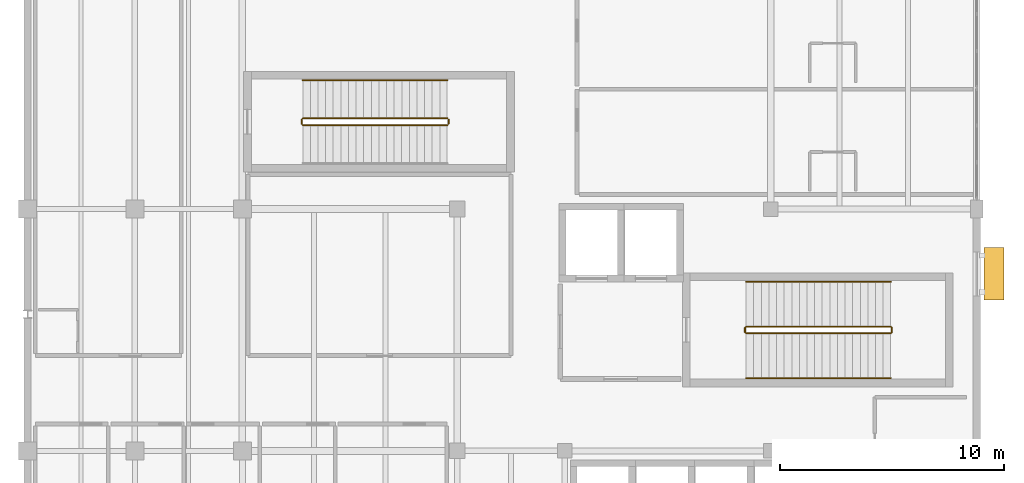
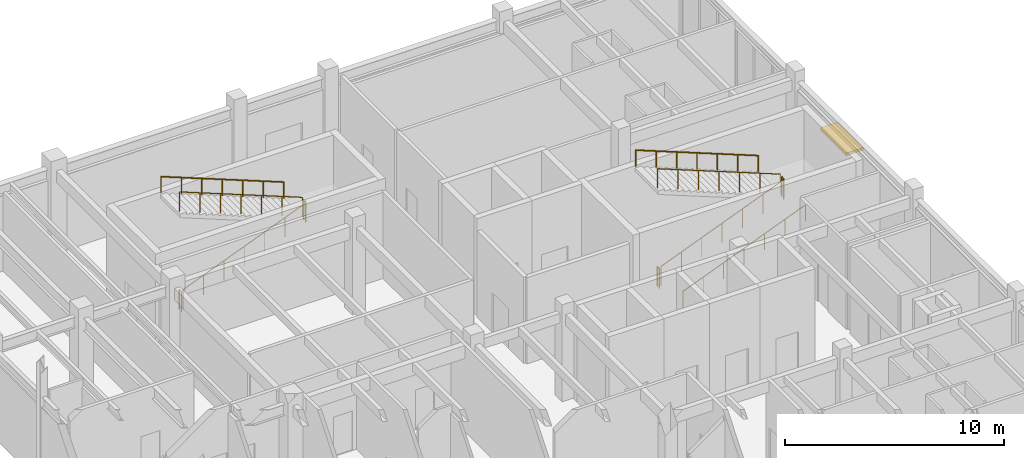
# One storey, part 68 of 68: 11 railings, 1 shading device.
"""IFC4 building model written with IfcOpenShell, lengths in metres."""

from ifc_helpers import new_model, si_unit, direction, frame, origin, origin_2d, place, context, subcontext, project, spatial, rectangle, circle, extrude, material, type_object, element, save


model = new_model("IFC4")

# Units and contexts
model_context = context("Model", 3, precision=1e-05, world=origin(), true_north=direction((0.0, 1.0)))
body_context = subcontext(model_context, "Body", "Model", "MODEL_VIEW")
ifc_project = project(units=[si_unit("LENGTHUNIT", "METRE"), si_unit("AREAUNIT", "SQUARE_METRE"), si_unit("VOLUMEUNIT", "CUBIC_METRE"), si_unit("PLANEANGLEUNIT", "RADIAN"), si_unit("MASSUNIT", "GRAM", prefix="KILO")], contexts=[model_context])

# Site, building, storey
site_placement = place(None, origin())
site = spatial("IfcSite", under=ifc_project, at=site_placement, CompositionType="ELEMENT")
building_placement = place(site_placement, origin())
building = spatial("IfcBuilding", under=site, at=building_placement, Name="Veldera Park Congress Hotel", CompositionType="ELEMENT")
storey_placement = place(building_placement, frame((0.0, 0.0, 10.800048828125)))
storey = spatial("IfcBuildingStorey", under=building, at=storey_placement, Name="L02", CompositionType="ELEMENT", Elevation=10.800048828125)

# Railings
ifc_material_1 = material(Name="Steel ASTM A992 Gr.50", Category="steel")
railing_type_1 = type_object("IfcRailingType", Name="GRD-ST110", PredefinedType="GUARDRAIL", material=ifc_material_1)
railing_1_placement = place(storey_placement, frame((73.699951171875, 41.64990234375, 0.135009765625)))
element("IfcRailing", 1, at=railing_1_placement, inside=storey, type_object=railing_type_1, Name="L02 ST1 stair guard 1", PredefinedType="GUARDRAIL", context=body_context, shape_type="SweptSolid", body=[
    extrude(circle(Radius=0.02392578125, at=origin_2d()), frame((0.0, 0.0, 1.076171875), z_axis=(0.929418439274, 0.0, 0.369027593462), x_axis=(0.0, 1.0, 0.0)), (0.0, 0.0, 1.0), 6.950439453125),
    extrude(circle(Radius=0.02099609375, at=origin_2d()), origin(), (0.0, 0.0, 1.0), 1.052001953125),
    extrude(circle(Radius=0.02099609375, at=origin_2d()), frame((1.07666015625, 0.0, 0.427490234375)), (0.0, 0.0, 1.0), 1.052001953125),
    extrude(circle(Radius=0.02099609375, at=origin_2d()), frame((2.1533203125, 0.0, 0.85498046875)), (0.0, 0.0, 1.0), 1.052001953125),
    extrude(circle(Radius=0.02099609375, at=origin_2d()), frame((3.22998046875, 0.0, 1.282470703125)), (0.0, 0.0, 1.0), 1.052001953125),
    extrude(circle(Radius=0.02099609375, at=origin_2d()), frame((4.306640625, 0.0, 1.7099609375)), (0.0, 0.0, 1.0), 1.052001953125),
    extrude(circle(Radius=0.02099609375, at=origin_2d()), frame((5.38330078125, 0.0, 2.137451171875)), (0.0, 0.0, 1.0), 1.052001953125),
    extrude(circle(Radius=0.02099609375, at=origin_2d()), frame((6.4599609375, 0.0, 2.56494140625)), (0.0, 0.0, 1.0), 1.052001953125),
])
railing_2_placement = place(storey_placement, frame((80.2099609375, 41.699951171875, 2.699951171875)))
element("IfcRailing", 2, at=railing_2_placement, inside=storey, type_object=railing_type_1, Name="L02 ST1 stair guard 2", PredefinedType="GUARDRAIL", context=body_context, shape_type="SweptSolid", body=[
    extrude(circle(Radius=0.02392578125, at=origin_2d()), frame((0.0, 0.0, 1.076171875), z_axis=(0.0, 1.0, 0.0), x_axis=(-1.0, 0.0, 0.0)), (0.0, 0.0, 1.0), 0.199951171875),
    extrude(circle(Radius=0.02099609375, at=origin_2d()), origin(), (0.0, 0.0, 1.0), 1.052001953125),
    extrude(circle(Radius=0.02099609375, at=origin_2d()), frame((0.0, 0.199951171875, 0.0)), (0.0, 0.0, 1.0), 1.052001953125),
])
railing_3_placement = place(storey_placement, frame((80.159912109375, 41.949951171875, 2.8349609375)))
element("IfcRailing", 3, at=railing_3_placement, inside=storey, type_object=railing_type_1, Name="L02 ST1 stair guard 3", PredefinedType="GUARDRAIL", context=body_context, shape_type="SweptSolid", body=[
    extrude(circle(Radius=0.02392578125, at=origin_2d()), frame((0.0, 0.0, 1.076171875), z_axis=(-0.929418439274, 0.0, 0.369027593462), x_axis=(0.0, -1.0, 0.0)), (0.0, 0.0, 1.0), 6.950439453125),
    extrude(circle(Radius=0.02099609375, at=origin_2d()), origin(), (0.0, 0.0, 1.0), 1.052001953125),
    extrude(circle(Radius=0.02099609375, at=origin_2d()), frame((-1.07666015625, 0.0, 0.427490234375)), (0.0, 0.0, 1.0), 1.052001953125),
    extrude(circle(Radius=0.02099609375, at=origin_2d()), frame((-2.1533203125, 0.0, 0.85498046875)), (0.0, 0.0, 1.0), 1.052001953125),
    extrude(circle(Radius=0.02099609375, at=origin_2d()), frame((-3.22998046875, 0.0, 1.282470703125)), (0.0, 0.0, 1.0), 1.052001953125),
    extrude(circle(Radius=0.02099609375, at=origin_2d()), frame((-4.306640625, 0.0, 1.7099609375)), (0.0, 0.0, 1.0), 1.052001953125),
    extrude(circle(Radius=0.02099609375, at=origin_2d()), frame((-5.38330078125, 0.0, 2.137451171875)), (0.0, 0.0, 1.0), 1.052001953125),
    extrude(circle(Radius=0.02099609375, at=origin_2d()), frame((-6.4599609375, 0.0, 2.56494140625)), (0.0, 0.0, 1.0), 1.052001953125),
])
railing_4_placement = place(storey_placement, frame((73.64990234375, 41.699951171875, 0.0)))
element("IfcRailing", 4, at=railing_4_placement, inside=storey, type_object=railing_type_1, Name="L02 ST1 stair guard 4", PredefinedType="GUARDRAIL", context=body_context, shape_type="SweptSolid", body=[
    extrude(circle(Radius=0.02392578125, at=origin_2d()), frame((0.0, 0.0, 1.076171875), z_axis=(0.0, 1.0, 0.0), x_axis=(-1.0, 0.0, 0.0)), (0.0, 0.0, 1.0), 0.199951171875),
    extrude(circle(Radius=0.02099609375, at=origin_2d()), origin(), (0.0, 0.0, 1.0), 1.052001953125),
    extrude(circle(Radius=0.02099609375, at=origin_2d()), frame((0.0, 0.199951171875, 0.0)), (0.0, 0.0, 1.0), 1.052001953125),
])
railing_5_placement = place(storey_placement, frame((53.89990234375, 50.949951171875, 0.135009765625)))
element("IfcRailing", 5, at=railing_5_placement, inside=storey, type_object=railing_type_1, Name="L02 ST3 stair guard 1", PredefinedType="GUARDRAIL", context=body_context, shape_type="SweptSolid", body=[
    extrude(circle(Radius=0.02392578125, at=origin_2d()), frame((0.0, 0.0, 1.076171875), z_axis=(0.929423222467, 0.0, 0.369015546474), x_axis=(0.0, 1.0, 0.0)), (0.0, 0.0, 1.0), 6.95068359375),
    extrude(circle(Radius=0.02099609375, at=origin_2d()), origin(), (0.0, 0.0, 1.0), 1.052001953125),
    extrude(circle(Radius=0.02099609375, at=origin_2d()), frame((1.07666015625, 0.0, 0.427490234375)), (0.0, 0.0, 1.0), 1.052001953125),
    extrude(circle(Radius=0.02099609375, at=origin_2d()), frame((2.1533203125, 0.0, 0.85498046875)), (0.0, 0.0, 1.0), 1.052001953125),
    extrude(circle(Radius=0.02099609375, at=origin_2d()), frame((3.22998046875, 0.0, 1.282470703125)), (0.0, 0.0, 1.0), 1.052001953125),
    extrude(circle(Radius=0.02099609375, at=origin_2d()), frame((4.306884765625, 0.0, 1.7099609375)), (0.0, 0.0, 1.0), 1.052001953125),
    extrude(circle(Radius=0.02099609375, at=origin_2d()), frame((5.383544921875, 0.0, 2.137451171875)), (0.0, 0.0, 1.0), 1.052001953125),
    extrude(circle(Radius=0.02099609375, at=origin_2d()), frame((6.460205078125, 0.0, 2.56494140625)), (0.0, 0.0, 1.0), 1.052001953125),
])
railing_6_placement = place(storey_placement, frame((60.409912109375, 51.0, 2.699951171875)))
element("IfcRailing", 6, at=railing_6_placement, inside=storey, type_object=railing_type_1, Name="L02 ST3 stair guard 2", PredefinedType="GUARDRAIL", context=body_context, shape_type="SweptSolid", body=[
    extrude(circle(Radius=0.02392578125, at=origin_2d()), frame((0.0, 0.0, 1.076171875), z_axis=(0.0, 1.0, 0.0), x_axis=(-1.0, 0.0, 0.0)), (0.0, 0.0, 1.0), 0.199951171875),
    extrude(circle(Radius=0.02099609375, at=origin_2d()), origin(), (0.0, 0.0, 1.0), 1.052001953125),
    extrude(circle(Radius=0.02099609375, at=origin_2d()), frame((0.0, 0.199951171875, 0.0)), (0.0, 0.0, 1.0), 1.052001953125),
])
railing_7_placement = place(storey_placement, frame((60.360107421875, 51.25, 2.8349609375)))
element("IfcRailing", 7, at=railing_7_placement, inside=storey, type_object=railing_type_1, Name="L02 ST3 stair guard 3", PredefinedType="GUARDRAIL", context=body_context, shape_type="SweptSolid", body=[
    extrude(circle(Radius=0.02392578125, at=origin_2d()), frame((0.0, 0.0, 1.076171875), z_axis=(-0.929423222467, 0.0, 0.369015546474), x_axis=(0.0, -1.0, 0.0)), (0.0, 0.0, 1.0), 6.95068359375),
    extrude(circle(Radius=0.02099609375, at=origin_2d()), origin(), (0.0, 0.0, 1.0), 1.052001953125),
    extrude(circle(Radius=0.02099609375, at=origin_2d()), frame((-1.07666015625, 0.0, 0.427490234375)), (0.0, 0.0, 1.0), 1.052001953125),
    extrude(circle(Radius=0.02099609375, at=origin_2d()), frame((-2.1533203125, 0.0, 0.85498046875)), (0.0, 0.0, 1.0), 1.052001953125),
    extrude(circle(Radius=0.02099609375, at=origin_2d()), frame((-3.22998046875, 0.0, 1.282470703125)), (0.0, 0.0, 1.0), 1.052001953125),
    extrude(circle(Radius=0.02099609375, at=origin_2d()), frame((-4.306884765625, 0.0, 1.7099609375)), (0.0, 0.0, 1.0), 1.052001953125),
    extrude(circle(Radius=0.02099609375, at=origin_2d()), frame((-5.383544921875, 0.0, 2.137451171875)), (0.0, 0.0, 1.0), 1.052001953125),
    extrude(circle(Radius=0.02099609375, at=origin_2d()), frame((-6.460205078125, 0.0, 2.56494140625)), (0.0, 0.0, 1.0), 1.052001953125),
])
railing_8_placement = place(storey_placement, frame((53.85009765625, 51.0, 0.0)))
element("IfcRailing", 8, at=railing_8_placement, inside=storey, type_object=railing_type_1, Name="L02 ST3 stair guard 4", PredefinedType="GUARDRAIL", context=body_context, shape_type="SweptSolid", body=[
    extrude(circle(Radius=0.02392578125, at=origin_2d()), frame((0.0, 0.0, 1.076171875), z_axis=(0.0, 1.0, 0.0), x_axis=(-1.0, 0.0, 0.0)), (0.0, 0.0, 1.0), 0.199951171875),
    extrude(circle(Radius=0.02099609375, at=origin_2d()), origin(), (0.0, 0.0, 1.0), 1.052001953125),
    extrude(circle(Radius=0.02099609375, at=origin_2d()), frame((0.0, 0.199951171875, 0.0)), (0.0, 0.0, 1.0), 1.052001953125),
])
railing_type_2 = type_object("IfcRailingType", Name="HRL-920", PredefinedType="HANDRAIL", material=ifc_material_1)
railing_9_placement = place(storey_placement, frame((73.699951171875, 39.64990234375, 0.135009765625)))
element("IfcRailing", 9, at=railing_9_placement, inside=storey, type_object=railing_type_2, Name="L02 ST1 stair handrail 1", PredefinedType="HANDRAIL", context=body_context, shape_type="SweptSolid", body=[
    extrude(circle(Radius=0.02392578125, at=origin_2d()), frame((0.0, 0.0, 0.89599609375), z_axis=(0.929418439274, 0.0, 0.369027593462), x_axis=(0.0, 1.0, 0.0)), (0.0, 0.0, 1.0), 6.950439453125),
    extrude(circle(Radius=0.02099609375, at=origin_2d()), origin(), (0.0, 0.0, 1.0), 0.871826171875),
    extrude(circle(Radius=0.02099609375, at=origin_2d()), frame((1.07666015625, 0.0, 0.427490234375)), (0.0, 0.0, 1.0), 0.871826171875),
    extrude(circle(Radius=0.02099609375, at=origin_2d()), frame((2.1533203125, 0.0, 0.85498046875)), (0.0, 0.0, 1.0), 0.871826171875),
    extrude(circle(Radius=0.02099609375, at=origin_2d()), frame((3.22998046875, 0.0, 1.282470703125)), (0.0, 0.0, 1.0), 0.871826171875),
    extrude(circle(Radius=0.02099609375, at=origin_2d()), frame((4.306640625, 0.0, 1.7099609375)), (0.0, 0.0, 1.0), 0.871826171875),
    extrude(circle(Radius=0.02099609375, at=origin_2d()), frame((5.38330078125, 0.0, 2.137451171875)), (0.0, 0.0, 1.0), 0.871826171875),
    extrude(circle(Radius=0.02099609375, at=origin_2d()), frame((6.4599609375, 0.0, 2.56494140625)), (0.0, 0.0, 1.0), 0.871826171875),
])
railing_10_placement = place(storey_placement, frame((80.159912109375, 43.949951171875, 2.8349609375)))
element("IfcRailing", 10, at=railing_10_placement, inside=storey, type_object=railing_type_2, Name="L02 ST1 stair handrail 2", PredefinedType="HANDRAIL", context=body_context, shape_type="SweptSolid", body=[
    extrude(circle(Radius=0.02392578125, at=origin_2d()), frame((0.0, 0.0, 0.89599609375), z_axis=(-0.929418439274, 0.0, 0.369027593462), x_axis=(0.0, -1.0, 0.0)), (0.0, 0.0, 1.0), 6.950439453125),
    extrude(circle(Radius=0.02099609375, at=origin_2d()), origin(), (0.0, 0.0, 1.0), 0.871826171875),
    extrude(circle(Radius=0.02099609375, at=origin_2d()), frame((-1.07666015625, 0.0, 0.427490234375)), (0.0, 0.0, 1.0), 0.871826171875),
    extrude(circle(Radius=0.02099609375, at=origin_2d()), frame((-2.1533203125, 0.0, 0.85498046875)), (0.0, 0.0, 1.0), 0.871826171875),
    extrude(circle(Radius=0.02099609375, at=origin_2d()), frame((-3.22998046875, 0.0, 1.282470703125)), (0.0, 0.0, 1.0), 0.871826171875),
    extrude(circle(Radius=0.02099609375, at=origin_2d()), frame((-4.306640625, 0.0, 1.7099609375)), (0.0, 0.0, 1.0), 0.871826171875),
    extrude(circle(Radius=0.02099609375, at=origin_2d()), frame((-5.38330078125, 0.0, 2.137451171875)), (0.0, 0.0, 1.0), 0.871826171875),
    extrude(circle(Radius=0.02099609375, at=origin_2d()), frame((-6.4599609375, 0.0, 2.56494140625)), (0.0, 0.0, 1.0), 0.871826171875),
])
railing_11_placement = place(storey_placement, frame((60.360107421875, 52.949951171875, 2.8349609375)))
element("IfcRailing", 11, at=railing_11_placement, inside=storey, type_object=railing_type_2, Name="L02 ST3 stair handrail 2", PredefinedType="HANDRAIL", context=body_context, shape_type="SweptSolid", body=[
    extrude(circle(Radius=0.02392578125, at=origin_2d()), frame((0.0, 0.0, 0.89599609375), z_axis=(-0.929423222467, 0.0, 0.369015546474), x_axis=(0.0, -1.0, 0.0)), (0.0, 0.0, 1.0), 6.95068359375),
    extrude(circle(Radius=0.02099609375, at=origin_2d()), origin(), (0.0, 0.0, 1.0), 0.871826171875),
    extrude(circle(Radius=0.02099609375, at=origin_2d()), frame((-1.07666015625, 0.0, 0.427490234375)), (0.0, 0.0, 1.0), 0.871826171875),
    extrude(circle(Radius=0.02099609375, at=origin_2d()), frame((-2.1533203125, 0.0, 0.85498046875)), (0.0, 0.0, 1.0), 0.871826171875),
    extrude(circle(Radius=0.02099609375, at=origin_2d()), frame((-3.22998046875, 0.0, 1.282470703125)), (0.0, 0.0, 1.0), 0.871826171875),
    extrude(circle(Radius=0.02099609375, at=origin_2d()), frame((-4.306884765625, 0.0, 1.7099609375)), (0.0, 0.0, 1.0), 0.871826171875),
    extrude(circle(Radius=0.02099609375, at=origin_2d()), frame((-5.383544921875, 0.0, 2.137451171875)), (0.0, 0.0, 1.0), 0.871826171875),
    extrude(circle(Radius=0.02099609375, at=origin_2d()), frame((-6.460205078125, 0.0, 2.56494140625)), (0.0, 0.0, 1.0), 0.871826171875),
])

# Shading device
ifc_material_2 = material(Name="Glulam GL28h (NDS 24F-V4)", Category="wood")
shading_device_type = type_object("IfcShadingDeviceType", Name="SHD-SHF450", PredefinedType="AWNING", material=ifc_material_2)
shading_device_placement = place(storey_placement, frame((84.77001953125, 44.301025390625, 2.759765625), z_axis=(0.0, 0.0, 1.0), x_axis=(0.0, 1.0, 0.0)))
element("IfcShadingDevice", 12, at=shading_device_placement, inside=storey, type_object=shading_device_type, Name="Glulam Solar Shade 130", PredefinedType="AWNING", context=body_context, shape_type="SweptSolid", body=[
    extrude(rectangle(XDim=2.35009765625, YDim=0.89990234375, at=origin_2d()), origin(), (0.0, 0.0, 1.0), 0.139892578125),
])

save(model, "model.ifc")
